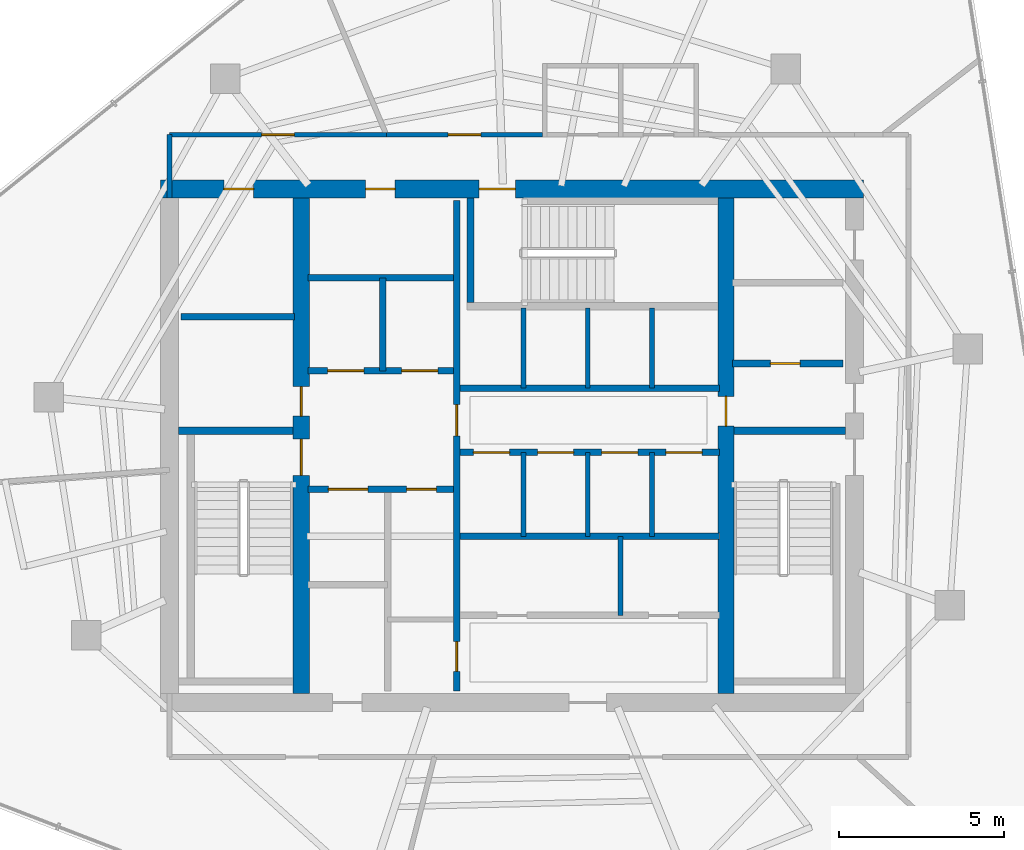
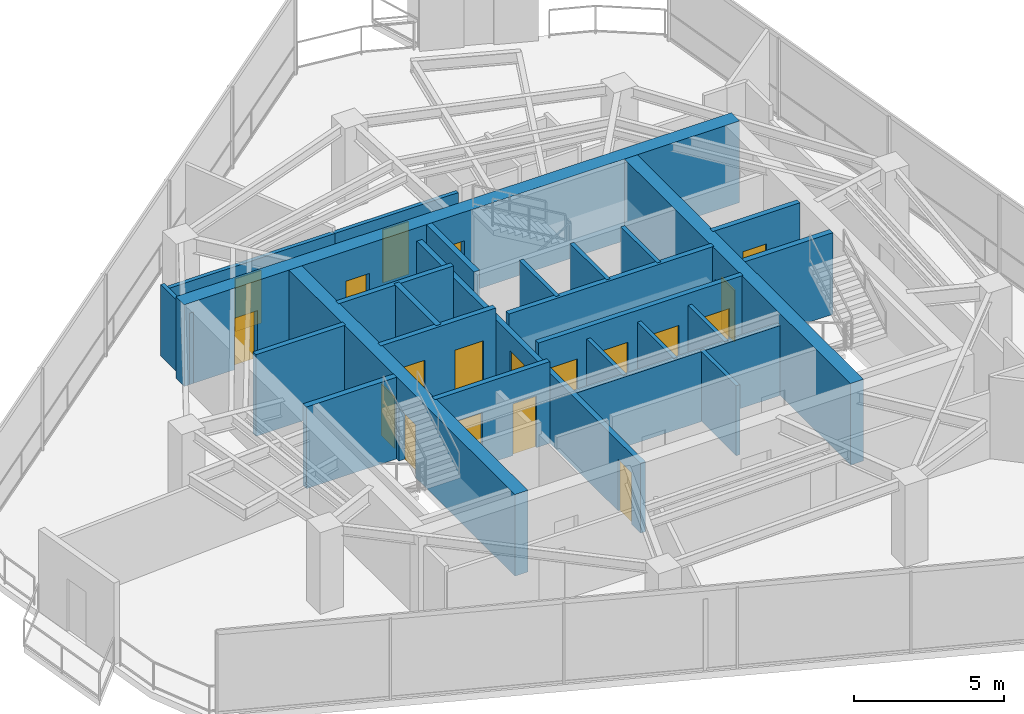
# One storey, part 16 of 19: 26 walls, 19 doors, 19 openings.
"""IFC4 building model written with IfcOpenShell, lengths in metres."""

from ifc_helpers import new_model, si_unit, direction, frame, frame_2d, origin, place, context, subcontext, project, spatial, rectangle, extrude, material, layer, layer_set, type_object, element, fill, save


model = new_model("IFC4")

# Units and contexts
model_context = context("Model", 3, precision=1e-05, world=origin(), true_north=direction((0.0, 1.0)))
body_context = subcontext(model_context, "Body", "Model", "MODEL_VIEW")
ifc_project = project(units=[si_unit("LENGTHUNIT", "METRE"), si_unit("AREAUNIT", "SQUARE_METRE"), si_unit("VOLUMEUNIT", "CUBIC_METRE"), si_unit("PLANEANGLEUNIT", "RADIAN"), si_unit("MASSUNIT", "GRAM", prefix="KILO")], contexts=[model_context])

# Site, building, storey
site_placement = place(None, origin())
site = spatial("IfcSite", under=ifc_project, at=site_placement, CompositionType="ELEMENT")
building_placement = place(site_placement, origin())
building = spatial("IfcBuilding", under=site, at=building_placement, Name="Qarnah Convention Tower", CompositionType="ELEMENT")
storey_placement = place(building_placement, frame((0.0, 0.0, 213.0)))
storey = spatial("IfcBuildingStorey", under=building, at=storey_placement, Name="L57", CompositionType="ELEMENT", Elevation=213.0)

# Wall, openings, doors
ifc_material_1 = material(Name="Concrete C60/75", Category="concrete")
ifc_layer_1 = layer(ifc_material_1, 0.550048828125)
ifc_layer_set_1 = layer_set([ifc_layer_1], Name="Concrete C60/75")
wall_type_1 = type_object("IfcWallType", Name="WL-CORE-550", PredefinedType="SHEAR", material=ifc_layer_set_1)
wall_1_placement = place(storey_placement, frame((26.52490234375, 34.199951171875, 0.0), z_axis=(0.0, 0.0, 1.0), x_axis=(1.0, 0.0, 0.0)))
wall_1 = element("IfcWall", 1, at=wall_1_placement, inside=storey, type_object=wall_type_1, Name="L57 core north shear wall", PredefinedType="SHEAR", context=body_context, shape_type="SweptSolid", body=[
    extrude(rectangle(XDim=21.35009765625, YDim=0.550048828125, at=frame_2d((10.675048828125, 0.0))), origin(), (0.0, 0.0, 1.0), 3.320068359375),
])
opening_1_placement = place(wall_1_placement, frame((9.675048828125, 0.0, 0.0)))
opening_1 = element("IfcOpeningElement", 2, at=opening_1_placement, cuts=wall_1, Name="Opening D-5703", PredefinedType="OPENING", context=body_context, shape_type="SweptSolid", body=[
    extrude(rectangle(XDim=1.10009765625, YDim=2.14990234375, at=frame_2d((0.550048828125, 1.074951171875))), frame((0.0, 0.284912109375, 0.0), z_axis=(0.0, -1.0, 0.0), x_axis=(1.0, 0.0, 0.0)), (0.0, 0.0, 1.0), 0.570068359375),
])
opening_2_placement = place(wall_1_placement, frame((1.925048828125, 0.0, 0.0)))
opening_2 = element("IfcOpeningElement", 3, at=opening_2_placement, cuts=wall_1, Name="Opening D-5709", PredefinedType="OPENING", context=body_context, shape_type="SweptSolid", body=[
    extrude(rectangle(XDim=0.89990234375, YDim=2.10009765625, at=frame_2d((0.449951171875, 1.050048828125))), frame((0.0, 0.284912109375, 0.0), z_axis=(0.0, -1.0, 0.0), x_axis=(1.0, 0.0, 0.0)), (0.0, 0.0, 1.0), 0.570068359375),
])
opening_3_placement = place(wall_1_placement, frame((6.22509765625, 0.0, 0.0)))
opening_3 = element("IfcOpeningElement", 4, at=opening_3_placement, cuts=wall_1, Name="Opening D-5710", PredefinedType="OPENING", context=body_context, shape_type="SweptSolid", body=[
    extrude(rectangle(XDim=0.89990234375, YDim=2.10009765625, at=frame_2d((0.449951171875, 1.050048828125))), frame((0.0, 0.284912109375, 0.0), z_axis=(0.0, -1.0, 0.0), x_axis=(1.0, 0.0, 0.0)), (0.0, 0.0, 1.0), 0.570068359375),
])
ifc_material_2 = material(Name="Structural steel S355JR", Category="steel")
door_type_1 = type_object("IfcDoorType", Name="DT-RISER-900", OperationType="NOTDEFINED", PredefinedType="DOOR", material=ifc_material_2)
door_1_placement = place(opening_2_placement, origin())
door_1 = element("IfcDoor", 5, at=door_1_placement, inside=storey, type_object=door_type_1, Name="Door D-5709", OperationType="SINGLE_SWING_LEFT", OverallHeight=2.10009765625, OverallWidth=0.89990234375, PredefinedType="DOOR", context=body_context, shape_type="SweptSolid", body=[
    extrude(rectangle(XDim=0.89990234375, YDim=2.10009765625, at=frame_2d((0.449951171875, 1.050048828125))), frame((0.0, 0.02490234375, 0.0), z_axis=(0.0, -1.0, 0.0), x_axis=(1.0, 0.0, 0.0)), (0.0, 0.0, 1.0), 0.050048828125),
])
fill(opening_2, door_1)
door_2_placement = place(opening_3_placement, origin())
door_2 = element("IfcDoor", 6, at=door_2_placement, inside=storey, type_object=door_type_1, Name="Door D-5710", OperationType="SINGLE_SWING_RIGHT", OverallHeight=2.10009765625, OverallWidth=0.89990234375, PredefinedType="DOOR", context=body_context, shape_type="SweptSolid", body=[
    extrude(rectangle(XDim=0.89990234375, YDim=2.10009765625, at=frame_2d((0.449951171875, 1.050048828125))), frame((0.0, 0.02490234375, 0.0), z_axis=(0.0, -1.0, 0.0), x_axis=(1.0, 0.0, 0.0)), (0.0, 0.0, 1.0), 0.050048828125),
])
fill(opening_3, door_2)
door_type_2 = type_object("IfcDoorType", Name="DT-STAIR-1100", OperationType="NOTDEFINED", PredefinedType="DOOR", material=ifc_material_2)
door_3_placement = place(opening_1_placement, origin())
door_3 = element("IfcDoor", 7, at=door_3_placement, inside=storey, type_object=door_type_2, Name="Door D-5703", OperationType="SINGLE_SWING_LEFT", OverallHeight=2.14990234375, OverallWidth=1.10009765625, PredefinedType="DOOR", context=body_context, shape_type="SweptSolid", body=[
    extrude(rectangle(XDim=1.10009765625, YDim=2.14990234375, at=frame_2d((0.550048828125, 1.074951171875))), frame((0.0, 0.02490234375, 0.0), z_axis=(0.0, -1.0, 0.0), x_axis=(1.0, 0.0, 0.0)), (0.0, 0.0, 1.0), 0.050048828125),
])
fill(opening_1, door_3)

ifc_layer_2 = layer(ifc_material_1, 0.5)
ifc_layer_set_2 = layer_set([ifc_layer_2], Name="Concrete C60/75")
wall_type_2 = type_object("IfcWallType", Name="WL-CORE-INT-400", PredefinedType="SHEAR", material=ifc_layer_set_2)
wall_2_placement = place(storey_placement, frame((30.800048828125, 18.875, 0.0), z_axis=(0.0, 0.0, 1.0), x_axis=(0.0, 1.0, 0.0)))
wall_2 = element("IfcWall", 8, at=wall_2_placement, inside=storey, type_object=wall_type_2, Name="L57 core west spine shear wall", PredefinedType="SHEAR", context=body_context, shape_type="SweptSolid", body=[
    extrude(rectangle(XDim=15.050048828125, YDim=0.5, at=frame_2d((7.52490234375, 0.0))), origin(), (0.0, 0.0, 1.0), 3.320068359375),
])
opening_4_placement = place(wall_2_placement, frame((6.625, 0.0, 0.0)))
opening_4 = element("IfcOpeningElement", 9, at=opening_4_placement, cuts=wall_2, Name="Opening D-5701", PredefinedType="OPENING", context=body_context, shape_type="SweptSolid", body=[
    extrude(rectangle(XDim=1.10009765625, YDim=2.14990234375, at=frame_2d((0.550048828125, 1.074951171875))), frame((0.0, 0.260009765625, 0.0), z_axis=(0.0, -1.0, 0.0), x_axis=(1.0, 0.0, 0.0)), (0.0, 0.0, 1.0), 0.52001953125),
])
opening_5_placement = place(wall_2_placement, frame((8.425048828125, 0.0, 0.0)))
opening_5 = element("IfcOpeningElement", 10, at=opening_5_placement, cuts=wall_2, Name="Opening D-5708", PredefinedType="OPENING", context=body_context, shape_type="SweptSolid", body=[
    extrude(rectangle(XDim=0.89990234375, YDim=2.10009765625, at=frame_2d((0.449951171875, 1.050048828125))), frame((0.0, 0.260009765625, 0.0), z_axis=(0.0, -1.0, 0.0), x_axis=(1.0, 0.0, 0.0)), (0.0, 0.0, 1.0), 0.52001953125),
])
door_4_placement = place(opening_5_placement, origin())
door_4 = element("IfcDoor", 11, at=door_4_placement, inside=storey, type_object=door_type_1, Name="Door D-5708", OperationType="SINGLE_SWING_RIGHT", OverallHeight=2.10009765625, OverallWidth=0.89990234375, PredefinedType="DOOR", context=body_context, shape_type="SweptSolid", body=[
    extrude(rectangle(XDim=0.89990234375, YDim=2.10009765625, at=frame_2d((0.449951171875, 1.050048828125))), frame((0.0, 0.02490234375, 0.0), z_axis=(0.0, -1.0, 0.0), x_axis=(1.0, 0.0, 0.0)), (0.0, 0.0, 1.0), 0.050048828125),
])
fill(opening_5, door_4)
door_5_placement = place(opening_4_placement, origin())
door_5 = element("IfcDoor", 12, at=door_5_placement, inside=storey, type_object=door_type_2, Name="Door D-5701", OperationType="SINGLE_SWING_LEFT", OverallHeight=2.14990234375, OverallWidth=1.10009765625, PredefinedType="DOOR", context=body_context, shape_type="SweptSolid", body=[
    extrude(rectangle(XDim=1.10009765625, YDim=2.14990234375, at=frame_2d((0.550048828125, 1.074951171875))), frame((0.0, 0.02490234375, 0.0), z_axis=(0.0, -1.0, 0.0), x_axis=(1.0, 0.0, 0.0)), (0.0, 0.0, 1.0), 0.050048828125),
])
fill(opening_4, door_5)

# Wall, opening, door
wall_3_placement = place(storey_placement, frame((43.699951171875, 18.875, 0.0), z_axis=(0.0, 0.0, 1.0), x_axis=(0.0, 1.0, 0.0)))
wall_3 = element("IfcWall", 13, at=wall_3_placement, inside=storey, type_object=wall_type_2, Name="L57 core east spine shear wall", PredefinedType="SHEAR", context=body_context, shape_type="SweptSolid", body=[
    extrude(rectangle(XDim=15.050048828125, YDim=0.5, at=frame_2d((7.52490234375, 0.0))), origin(), (0.0, 0.0, 1.0), 3.320068359375),
])
opening_6_placement = place(wall_3_placement, frame((8.125, 0.0, 0.0)))
opening_6 = element("IfcOpeningElement", 14, at=opening_6_placement, cuts=wall_3, Name="Opening D-5705", PredefinedType="OPENING", context=body_context, shape_type="SweptSolid", body=[
    extrude(rectangle(XDim=0.89990234375, YDim=2.10009765625, at=frame_2d((0.449951171875, 1.050048828125))), frame((0.0, 0.260009765625, 0.0), z_axis=(0.0, -1.0, 0.0), x_axis=(1.0, 0.0, 0.0)), (0.0, 0.0, 1.0), 0.52001953125),
])
door_6_placement = place(opening_6_placement, origin())
door_6 = element("IfcDoor", 15, at=door_6_placement, inside=storey, type_object=door_type_1, Name="Door D-5705", OperationType="SINGLE_SWING_LEFT", OverallHeight=2.10009765625, OverallWidth=0.89990234375, PredefinedType="DOOR", context=body_context, shape_type="SweptSolid", body=[
    extrude(rectangle(XDim=0.89990234375, YDim=2.10009765625, at=frame_2d((0.449951171875, 1.050048828125))), frame((0.0, 0.02490234375, 0.0), z_axis=(0.0, -1.0, 0.0), x_axis=(1.0, 0.0, 0.0)), (0.0, 0.0, 1.0), 0.050048828125),
])
fill(opening_6, door_6)

# Wall
ifc_material_3 = material(Name="Concrete C45/55", Category="concrete")
ifc_layer_3 = layer(ifc_material_3, 0.199951171875)
ifc_layer_set_3 = layer_set([ifc_layer_3], Name="Concrete C45/55")
wall_type_3 = type_object("IfcWallType", Name="WL-CORE-PART-200", PredefinedType="SOLIDWALL", material=ifc_layer_set_3)
wall_4_placement = place(storey_placement, frame((27.14990234375, 30.320068359375, 0.0), z_axis=(0.0, 0.0, 1.0), x_axis=(1.0, 0.0, 0.0)))
element("IfcWall", 16, at=wall_4_placement, inside=storey, type_object=wall_type_3, Name="L57 interior wall IW-L57-ELRN", PredefinedType="SOLIDWALL", context=body_context, shape_type="SweptSolid", body=[
    extrude(rectangle(XDim=3.4501953125, YDim=0.199951171875, at=frame_2d((1.72509765625, 0.0))), origin(), (0.0, 0.0, 1.0), 3.320068359375),
])

# Wall, opening, door
wall_5_placement = place(storey_placement, frame((43.89990234375, 28.89990234375, 0.0), z_axis=(0.0, 0.0, 1.0), x_axis=(1.0, 0.0, 0.0)))
wall_5 = element("IfcWall", 17, at=wall_5_placement, inside=storey, type_object=wall_type_3, Name="L57 interior wall IW-L57-EVSTN", PredefinedType="SOLIDWALL", context=body_context, shape_type="SweptSolid", body=[
    extrude(rectangle(XDim=3.35009765625, YDim=0.199951171875, at=frame_2d((1.675048828125, 0.0))), origin(), (0.0, 0.0, 1.0), 3.320068359375),
])
opening_7_placement = place(wall_5_placement, frame((1.14990234375, 0.0, 0.0)))
opening_7 = element("IfcOpeningElement", 18, at=opening_7_placement, cuts=wall_5, Name="Opening D-5711", PredefinedType="OPENING", context=body_context, shape_type="SweptSolid", body=[
    extrude(rectangle(XDim=0.89990234375, YDim=2.10009765625, at=frame_2d((0.449951171875, 1.050048828125))), frame((0.0, 0.10986328125, 0.0), z_axis=(0.0, -1.0, 0.0), x_axis=(1.0, 0.0, 0.0)), (0.0, 0.0, 1.0), 0.219970703125),
])
door_7_placement = place(opening_7_placement, origin())
door_7 = element("IfcDoor", 19, at=door_7_placement, inside=storey, type_object=door_type_1, Name="Door D-5711", OperationType="SINGLE_SWING_LEFT", OverallHeight=2.10009765625, OverallWidth=0.89990234375, PredefinedType="DOOR", context=body_context, shape_type="SweptSolid", body=[
    extrude(rectangle(XDim=0.89990234375, YDim=2.10009765625, at=frame_2d((0.449951171875, 1.050048828125))), frame((0.0, 0.02490234375, 0.0), z_axis=(0.0, -1.0, 0.0), x_axis=(1.0, 0.0, 0.0)), (0.0, 0.0, 1.0), 0.050048828125),
])
fill(opening_7, door_7)

# Wall, openings, doors
wall_6_placement = place(storey_placement, frame((35.52001953125, 18.949951171875, 0.0), z_axis=(0.0, 0.0, 1.0), x_axis=(0.0, 1.0, 0.0)))
wall_6 = element("IfcWall", 20, at=wall_6_placement, inside=storey, type_object=wall_type_3, Name="L57 interior wall IW-L57-CSP", PredefinedType="SOLIDWALL", context=body_context, shape_type="SweptSolid", body=[
    extrude(rectangle(XDim=14.900146484375, YDim=0.199951171875, at=frame_2d((7.4501953125, 0.0))), origin(), (0.0, 0.0, 1.0), 2.841064453125),
])
opening_8_placement = place(wall_6_placement, frame((7.7548828125, 0.0, 0.0)))
opening_8 = element("IfcOpeningElement", 21, at=opening_8_placement, cuts=wall_6, Name="Opening D-5704", PredefinedType="OPENING", context=body_context, shape_type="SweptSolid", body=[
    extrude(rectangle(XDim=0.949951171875, YDim=2.14990234375, at=frame_2d((0.47509765625, 1.074951171875))), frame((0.0, 0.10986328125, 0.0), z_axis=(0.0, -1.0, 0.0), x_axis=(1.0, 0.0, 0.0)), (0.0, 0.0, 1.0), 0.219970703125),
])
opening_9_placement = place(wall_6_placement, frame((0.60009765625, 0.0, 0.0)))
opening_9 = element("IfcOpeningElement", 22, at=opening_9_placement, cuts=wall_6, Name="Opening D-5714", PredefinedType="OPENING", context=body_context, shape_type="SweptSolid", body=[
    extrude(rectangle(XDim=0.89990234375, YDim=2.10009765625, at=frame_2d((0.449951171875, 1.050048828125))), frame((0.0, 0.10986328125, 0.0), z_axis=(0.0, -1.0, 0.0), x_axis=(1.0, 0.0, 0.0)), (0.0, 0.0, 1.0), 0.219970703125),
])
ifc_material_4 = material(Name="Oak timber veneer", Category="wood")
door_type_3 = type_object("IfcDoorType", Name="DT-HOTEL-950", OperationType="NOTDEFINED", PredefinedType="DOOR", material=ifc_material_4)
door_8_placement = place(opening_8_placement, origin())
door_8 = element("IfcDoor", 23, at=door_8_placement, inside=storey, type_object=door_type_3, Name="Door D-5704", OperationType="SINGLE_SWING_RIGHT", OverallHeight=2.14990234375, OverallWidth=0.949951171875, PredefinedType="DOOR", context=body_context, shape_type="SweptSolid", body=[
    extrude(rectangle(XDim=0.949951171875, YDim=2.14990234375, at=frame_2d((0.47509765625, 1.074951171875))), frame((0.0, 0.02490234375, 0.0), z_axis=(0.0, -1.0, 0.0), x_axis=(1.0, 0.0, 0.0)), (0.0, 0.0, 1.0), 0.050048828125),
])
fill(opening_8, door_8)
door_9_placement = place(opening_9_placement, origin())
door_9 = element("IfcDoor", 24, at=door_9_placement, inside=storey, type_object=door_type_1, Name="Door D-5714", OperationType="SINGLE_SWING_RIGHT", OverallHeight=2.10009765625, OverallWidth=0.89990234375, PredefinedType="DOOR", context=body_context, shape_type="SweptSolid", body=[
    extrude(rectangle(XDim=0.89990234375, YDim=2.10009765625, at=frame_2d((0.449951171875, 1.050048828125))), frame((0.0, 0.02490234375, 0.0), z_axis=(0.0, -1.0, 0.0), x_axis=(1.0, 0.0, 0.0)), (0.0, 0.0, 1.0), 0.050048828125),
])
fill(opening_9, door_9)

wall_7_placement = place(storey_placement, frame((31.0, 28.679931640625, 0.0), z_axis=(0.0, 0.0, 1.0), x_axis=(1.0, 0.0, 0.0)))
wall_7 = element("IfcWall", 25, at=wall_7_placement, inside=storey, type_object=wall_type_3, Name="L57 interior wall IW-L57-FFLS", PredefinedType="SOLIDWALL", context=body_context, shape_type="SweptSolid", body=[
    extrude(rectangle(XDim=4.419921875, YDim=0.199951171875, at=frame_2d((2.2099609375, 0.0))), origin(), (0.0, 0.0, 1.0), 3.320068359375),
])
opening_10_placement = place(wall_7_placement, frame((0.60009765625, 0.0, 0.0)))
opening_10 = element("IfcOpeningElement", 26, at=opening_10_placement, cuts=wall_7, Name="Opening LD-5701", PredefinedType="OPENING", context=body_context, shape_type="SweptSolid", body=[
    extrude(rectangle(XDim=1.10009765625, YDim=2.14990234375, at=frame_2d((0.550048828125, 1.074951171875))), frame((0.0, 0.10986328125, 0.0), z_axis=(0.0, -1.0, 0.0), x_axis=(1.0, 0.0, 0.0)), (0.0, 0.0, 1.0), 0.219970703125),
])
opening_11_placement = place(wall_7_placement, frame((2.85009765625, 0.0, 0.0)))
opening_11 = element("IfcOpeningElement", 27, at=opening_11_placement, cuts=wall_7, Name="Opening LD-5702", PredefinedType="OPENING", context=body_context, shape_type="SweptSolid", body=[
    extrude(rectangle(XDim=1.10009765625, YDim=2.14990234375, at=frame_2d((0.550048828125, 1.074951171875))), frame((0.0, 0.10986328125, 0.0), z_axis=(0.0, -1.0, 0.0), x_axis=(1.0, 0.0, 0.0)), (0.0, 0.0, 1.0), 0.219970703125),
])
door_type_4 = type_object("IfcDoorType", Name="DT-LIFT-1100", OperationType="SLIDING_TO_LEFT", PredefinedType="DOOR", material=ifc_material_2)
door_10_placement = place(opening_10_placement, origin())
door_10 = element("IfcDoor", 28, at=door_10_placement, inside=storey, type_object=door_type_4, Name="Door LD-5701", OperationType="SLIDING_TO_LEFT", OverallHeight=2.14990234375, OverallWidth=1.10009765625, PredefinedType="DOOR", context=body_context, shape_type="SweptSolid", body=[
    extrude(rectangle(XDim=1.10009765625, YDim=2.14990234375, at=frame_2d((0.550048828125, 1.074951171875))), frame((0.0, 0.02490234375, 0.0), z_axis=(0.0, -1.0, 0.0), x_axis=(1.0, 0.0, 0.0)), (0.0, 0.0, 1.0), 0.050048828125),
])
fill(opening_10, door_10)
door_11_placement = place(opening_11_placement, origin())
door_11 = element("IfcDoor", 29, at=door_11_placement, inside=storey, type_object=door_type_4, Name="Door LD-5702", OperationType="SLIDING_TO_LEFT", OverallHeight=2.14990234375, OverallWidth=1.10009765625, PredefinedType="DOOR", context=body_context, shape_type="SweptSolid", body=[
    extrude(rectangle(XDim=1.10009765625, YDim=2.14990234375, at=frame_2d((0.550048828125, 1.074951171875))), frame((0.0, 0.02490234375, 0.0), z_axis=(0.0, -1.0, 0.0), x_axis=(1.0, 0.0, 0.0)), (0.0, 0.0, 1.0), 0.050048828125),
])
fill(opening_11, door_11)

# Walls
wall_8_placement = place(storey_placement, frame((31.0, 31.5, 0.0), z_axis=(0.0, 0.0, 1.0), x_axis=(1.0, 0.0, 0.0)))
element("IfcWall", 30, at=wall_8_placement, inside=storey, type_object=wall_type_3, Name="L57 interior wall IW-L57-FFLN", PredefinedType="SOLIDWALL", context=body_context, shape_type="SweptSolid", body=[
    extrude(rectangle(XDim=4.419921875, YDim=0.199951171875, at=frame_2d((2.2099609375, 0.0))), origin(), (0.0, 0.0, 1.0), 3.320068359375),
])
wall_9_placement = place(storey_placement, frame((33.280029296875, 28.679931640625, 0.0), z_axis=(0.0, 0.0, 1.0), x_axis=(0.0, 1.0, 0.0)))
element("IfcWall", 31, at=wall_9_placement, inside=storey, type_object=wall_type_3, Name="L57 interior wall IW-L57-FFLM", PredefinedType="SOLIDWALL", context=body_context, shape_type="SweptSolid", body=[
    extrude(rectangle(XDim=2.820068359375, YDim=0.199951171875, at=frame_2d((1.41015625, 0.0))), origin(), (0.0, 0.0, 1.0), 3.320068359375),
])

# Wall, openings, doors
wall_10_placement = place(storey_placement, frame((31.0, 25.080078125, 0.0), z_axis=(0.0, 0.0, 1.0), x_axis=(1.0, 0.0, 0.0)))
wall_10 = element("IfcWall", 32, at=wall_10_placement, inside=storey, type_object=wall_type_3, Name="L57 interior wall IW-L57-FFLBS", PredefinedType="SOLIDWALL", context=body_context, shape_type="SweptSolid", body=[
    extrude(rectangle(XDim=4.419921875, YDim=0.199951171875, at=frame_2d((2.2099609375, 0.0))), origin(), (0.0, 0.0, 1.0), 3.320068359375),
])
opening_12_placement = place(wall_10_placement, frame((3.0, 0.0, 0.0)))
opening_12 = element("IfcOpeningElement", 33, at=opening_12_placement, cuts=wall_10, Name="Opening D-5715", PredefinedType="OPENING", context=body_context, shape_type="SweptSolid", body=[
    extrude(rectangle(XDim=0.89990234375, YDim=2.10009765625, at=frame_2d((0.449951171875, 1.050048828125))), frame((0.0, 0.10986328125, 0.0), z_axis=(0.0, -1.0, 0.0), x_axis=(1.0, 0.0, 0.0)), (0.0, 0.0, 1.0), 0.219970703125),
])
opening_13_placement = place(wall_10_placement, frame((0.6201171875, 0.0, 0.0)))
opening_13 = element("IfcOpeningElement", 34, at=opening_13_placement, cuts=wall_10, Name="Opening LD-5703", PredefinedType="OPENING", context=body_context, shape_type="SweptSolid", body=[
    extrude(rectangle(XDim=1.199951171875, YDim=2.14990234375, at=frame_2d((0.60009765625, 1.074951171875))), frame((0.0, 0.10986328125, 0.0), z_axis=(0.0, -1.0, 0.0), x_axis=(1.0, 0.0, 0.0)), (0.0, 0.0, 1.0), 0.219970703125),
])
door_type_5 = type_object("IfcDoorType", Name="DT-LIFT-1200", OperationType="SLIDING_TO_LEFT", PredefinedType="DOOR", material=ifc_material_2)
door_12_placement = place(opening_13_placement, origin())
door_12 = element("IfcDoor", 35, at=door_12_placement, inside=storey, type_object=door_type_5, Name="Door LD-5703", OperationType="SLIDING_TO_LEFT", OverallHeight=2.14990234375, OverallWidth=1.199951171875, PredefinedType="DOOR", context=body_context, shape_type="SweptSolid", body=[
    extrude(rectangle(XDim=1.199951171875, YDim=2.14990234375, at=frame_2d((0.60009765625, 1.074951171875))), frame((0.0, 0.02490234375, 0.0), z_axis=(0.0, -1.0, 0.0), x_axis=(1.0, 0.0, 0.0)), (0.0, 0.0, 1.0), 0.050048828125),
])
fill(opening_13, door_12)
door_13_placement = place(opening_12_placement, origin())
door_13 = element("IfcDoor", 36, at=door_13_placement, inside=storey, type_object=door_type_1, Name="Door D-5715", OperationType="SINGLE_SWING_LEFT", OverallHeight=2.10009765625, OverallWidth=0.89990234375, PredefinedType="DOOR", context=body_context, shape_type="SweptSolid", body=[
    extrude(rectangle(XDim=0.89990234375, YDim=2.10009765625, at=frame_2d((0.449951171875, 1.050048828125))), frame((0.0, 0.02490234375, 0.0), z_axis=(0.0, -1.0, 0.0), x_axis=(1.0, 0.0, 0.0)), (0.0, 0.0, 1.0), 0.050048828125),
])
fill(opening_12, door_13)

# Wall
wall_11_placement = place(storey_placement, frame((35.6201171875, 28.14990234375, 0.0), z_axis=(0.0, 0.0, 1.0), x_axis=(1.0, 0.0, 0.0)))
element("IfcWall", 37, at=wall_11_placement, inside=storey, type_object=wall_type_3, Name="L57 interior wall IW-L57-PHS", PredefinedType="SOLIDWALL", context=body_context, shape_type="SweptSolid", body=[
    extrude(rectangle(XDim=7.8798828125, YDim=0.199951171875, at=frame_2d((3.93994140625, 0.0))), origin(), (0.0, 0.0, 1.0), 3.320068359375),
])

# Wall, openings, doors
wall_12_placement = place(storey_placement, frame((35.6201171875, 26.199951171875, 0.0), z_axis=(0.0, 0.0, 1.0), x_axis=(1.0, 0.0, 0.0)))
wall_12 = element("IfcWall", 38, at=wall_12_placement, inside=storey, type_object=wall_type_3, Name="L57 interior wall IW-L57-PMN", PredefinedType="SOLIDWALL", context=body_context, shape_type="SweptSolid", body=[
    extrude(rectangle(XDim=7.8798828125, YDim=0.199951171875, at=frame_2d((3.93994140625, 0.0))), origin(), (0.0, 0.0, 1.0), 3.320068359375),
])
opening_14_placement = place(wall_12_placement, frame((0.405029296875, 0.0, 0.0)))
opening_14 = element("IfcOpeningElement", 39, at=opening_14_placement, cuts=wall_12, Name="Opening LD-5704", PredefinedType="OPENING", context=body_context, shape_type="SweptSolid", body=[
    extrude(rectangle(XDim=1.10009765625, YDim=2.14990234375, at=frame_2d((0.550048828125, 1.074951171875))), frame((0.0, 0.10986328125, 0.0), z_axis=(0.0, -1.0, 0.0), x_axis=(1.0, 0.0, 0.0)), (0.0, 0.0, 1.0), 0.219970703125),
])
opening_15_placement = place(wall_12_placement, frame((2.35498046875, 0.0, 0.0)))
opening_15 = element("IfcOpeningElement", 40, at=opening_15_placement, cuts=wall_12, Name="Opening LD-5705", PredefinedType="OPENING", context=body_context, shape_type="SweptSolid", body=[
    extrude(rectangle(XDim=1.10009765625, YDim=2.14990234375, at=frame_2d((0.550048828125, 1.074951171875))), frame((0.0, 0.10986328125, 0.0), z_axis=(0.0, -1.0, 0.0), x_axis=(1.0, 0.0, 0.0)), (0.0, 0.0, 1.0), 0.219970703125),
])
opening_16_placement = place(wall_12_placement, frame((4.304931640625, 0.0, 0.0)))
opening_16 = element("IfcOpeningElement", 41, at=opening_16_placement, cuts=wall_12, Name="Opening LD-5706", PredefinedType="OPENING", context=body_context, shape_type="SweptSolid", body=[
    extrude(rectangle(XDim=1.10009765625, YDim=2.14990234375, at=frame_2d((0.550048828125, 1.074951171875))), frame((0.0, 0.10986328125, 0.0), z_axis=(0.0, -1.0, 0.0), x_axis=(1.0, 0.0, 0.0)), (0.0, 0.0, 1.0), 0.219970703125),
])
opening_17_placement = place(wall_12_placement, frame((6.2548828125, 0.0, 0.0)))
opening_17 = element("IfcOpeningElement", 42, at=opening_17_placement, cuts=wall_12, Name="Opening LD-5707", PredefinedType="OPENING", context=body_context, shape_type="SweptSolid", body=[
    extrude(rectangle(XDim=1.10009765625, YDim=2.14990234375, at=frame_2d((0.550048828125, 1.074951171875))), frame((0.0, 0.10986328125, 0.0), z_axis=(0.0, -1.0, 0.0), x_axis=(1.0, 0.0, 0.0)), (0.0, 0.0, 1.0), 0.219970703125),
])
door_14_placement = place(opening_14_placement, origin())
door_14 = element("IfcDoor", 43, at=door_14_placement, inside=storey, type_object=door_type_4, Name="Door LD-5704", OperationType="SLIDING_TO_LEFT", OverallHeight=2.14990234375, OverallWidth=1.10009765625, PredefinedType="DOOR", context=body_context, shape_type="SweptSolid", body=[
    extrude(rectangle(XDim=1.10009765625, YDim=2.14990234375, at=frame_2d((0.550048828125, 1.074951171875))), frame((0.0, 0.02490234375, 0.0), z_axis=(0.0, -1.0, 0.0), x_axis=(1.0, 0.0, 0.0)), (0.0, 0.0, 1.0), 0.050048828125),
])
fill(opening_14, door_14)
door_15_placement = place(opening_15_placement, origin())
door_15 = element("IfcDoor", 44, at=door_15_placement, inside=storey, type_object=door_type_4, Name="Door LD-5705", OperationType="SLIDING_TO_LEFT", OverallHeight=2.14990234375, OverallWidth=1.10009765625, PredefinedType="DOOR", context=body_context, shape_type="SweptSolid", body=[
    extrude(rectangle(XDim=1.10009765625, YDim=2.14990234375, at=frame_2d((0.550048828125, 1.074951171875))), frame((0.0, 0.02490234375, 0.0), z_axis=(0.0, -1.0, 0.0), x_axis=(1.0, 0.0, 0.0)), (0.0, 0.0, 1.0), 0.050048828125),
])
fill(opening_15, door_15)
door_16_placement = place(opening_16_placement, origin())
door_16 = element("IfcDoor", 45, at=door_16_placement, inside=storey, type_object=door_type_4, Name="Door LD-5706", OperationType="SLIDING_TO_LEFT", OverallHeight=2.14990234375, OverallWidth=1.10009765625, PredefinedType="DOOR", context=body_context, shape_type="SweptSolid", body=[
    extrude(rectangle(XDim=1.10009765625, YDim=2.14990234375, at=frame_2d((0.550048828125, 1.074951171875))), frame((0.0, 0.02490234375, 0.0), z_axis=(0.0, -1.0, 0.0), x_axis=(1.0, 0.0, 0.0)), (0.0, 0.0, 1.0), 0.050048828125),
])
fill(opening_16, door_16)
door_17_placement = place(opening_17_placement, origin())
door_17 = element("IfcDoor", 46, at=door_17_placement, inside=storey, type_object=door_type_4, Name="Door LD-5707", OperationType="SLIDING_TO_LEFT", OverallHeight=2.14990234375, OverallWidth=1.10009765625, PredefinedType="DOOR", context=body_context, shape_type="SweptSolid", body=[
    extrude(rectangle(XDim=1.10009765625, YDim=2.14990234375, at=frame_2d((0.550048828125, 1.074951171875))), frame((0.0, 0.02490234375, 0.0), z_axis=(0.0, -1.0, 0.0), x_axis=(1.0, 0.0, 0.0)), (0.0, 0.0, 1.0), 0.050048828125),
])
fill(opening_17, door_17)

# Walls
wall_13_placement = place(storey_placement, frame((35.6201171875, 23.64990234375, 0.0), z_axis=(0.0, 0.0, 1.0), x_axis=(1.0, 0.0, 0.0)))
element("IfcWall", 47, at=wall_13_placement, inside=storey, type_object=wall_type_3, Name="L57 interior wall IW-L57-PMPL", PredefinedType="SOLIDWALL", context=body_context, shape_type="SweptSolid", body=[
    extrude(rectangle(XDim=7.8798828125, YDim=0.199951171875, at=frame_2d((3.93994140625, 0.0))), origin(), (0.0, 0.0, 1.0), 2.841064453125),
])
ifc_layer_4 = layer(ifc_material_1, 0.219970703125)
ifc_layer_set_4 = layer_set([ifc_layer_4], Name="Concrete C60/75")
wall_type_4 = type_object("IfcWallType", Name="WL-CORE-STAIR-220", PredefinedType="SHEAR", material=ifc_layer_set_4)
wall_14_placement = place(storey_placement, frame((27.074951171875, 26.860107421875, 0.0), z_axis=(0.0, 0.0, 1.0), x_axis=(1.0, 0.0, 0.0)))
element("IfcWall", 48, at=wall_14_placement, inside=storey, type_object=wall_type_4, Name="L57 stair shaft shear wall SW-L57-ST1N", PredefinedType="SHEAR", context=body_context, shape_type="SweptSolid", body=[
    extrude(rectangle(XDim=3.47509765625, YDim=0.219970703125, at=frame_2d((1.737548828125, 0.0))), origin(), (0.0, 0.0, 1.0), 3.320068359375),
])
wall_15_placement = place(storey_placement, frame((43.949951171875, 26.860107421875, 0.0), z_axis=(0.0, 0.0, 1.0), x_axis=(1.0, 0.0, 0.0)))
element("IfcWall", 49, at=wall_15_placement, inside=storey, type_object=wall_type_4, Name="L57 stair shaft shear wall SW-L57-ST2N", PredefinedType="SHEAR", context=body_context, shape_type="SweptSolid", body=[
    extrude(rectangle(XDim=3.375, YDim=0.219970703125, at=frame_2d((1.6875, 0.0))), origin(), (0.0, 0.0, 1.0), 3.320068359375),
])
wall_16_placement = place(storey_placement, frame((35.93994140625, 30.75, 0.0), z_axis=(0.0, 0.0, 1.0), x_axis=(0.0, 1.0, 0.0)))
element("IfcWall", 50, at=wall_16_placement, inside=storey, type_object=wall_type_4, Name="L57 stair shaft shear wall SW-L57-ST3W", PredefinedType="SHEAR", context=body_context, shape_type="SweptSolid", body=[
    extrude(rectangle(XDim=3.175048828125, YDim=0.219970703125, at=frame_2d((1.58740234375, 0.0))), origin(), (0.0, 0.0, 1.0), 3.320068359375),
])
ifc_material_5 = material(Name="Gypsum partition board")
ifc_layer_5 = layer(ifc_material_5, 0.14990234375)
ifc_layer_set_5 = layer_set([ifc_layer_5], Name="Gypsum partition board")
wall_type_5 = type_object("IfcWallType", Name="WL-SUITE-150", PredefinedType="PARTITIONING", material=ifc_layer_set_5)
for number, where, z_axis, x_axis, name in (
    (51, (37.550048828125, 28.14990234375, 0.0), (0.0, 0.0, 1.0), (0.0, 1.0, 0.0), "L57 interior wall IW-L57-PHD1"),
    (52, (39.5, 28.14990234375, 0.0), (0.0, 0.0, 1.0), (0.0, 1.0, 0.0), "L57 interior wall IW-L57-PHD2"),
    (53, (41.449951171875, 28.14990234375, 0.0), (0.0, 0.0, 1.0), (0.0, 1.0, 0.0), "L57 interior wall IW-L57-PHD3"),
):
    element("IfcWall", number, at=place(storey_placement, frame(where, z_axis=z_axis, x_axis=x_axis)), inside=storey, type_object=wall_type_5, Name=name, PredefinedType="PARTITIONING", context=body_context, shape_type="SweptSolid", body=[
        extrude(rectangle(XDim=2.43017578125, YDim=0.14990234375, at=frame_2d((1.215087890625, 0.0))), origin(), (0.0, 0.0, 1.0), 3.320068359375),
    ])
for number, where, z_axis, x_axis, name in (
    (54, (37.550048828125, 23.64990234375, 0.0), (0.0, 0.0, 1.0), (0.0, 1.0, 0.0), "L57 interior wall IW-L57-PMD1"),
    (55, (39.5, 23.64990234375, 0.0), (0.0, 0.0, 1.0), (0.0, 1.0, 0.0), "L57 interior wall IW-L57-PMD2"),
    (56, (41.449951171875, 23.64990234375, 0.0), (0.0, 0.0, 1.0), (0.0, 1.0, 0.0), "L57 interior wall IW-L57-PMD3"),
):
    element("IfcWall", number, at=place(storey_placement, frame(where, z_axis=z_axis, x_axis=x_axis)), inside=storey, type_object=wall_type_5, Name=name, PredefinedType="PARTITIONING", context=body_context, shape_type="SweptSolid", body=[
        extrude(rectangle(XDim=2.550048828125, YDim=0.14990234375, at=frame_2d((1.27490234375, 0.0))), origin(), (0.0, 0.0, 1.0), 2.841064453125),
    ])
wall_17_placement = place(storey_placement, frame((40.5, 21.25, 0.0), z_axis=(0.0, 0.0, 1.0), x_axis=(0.0, 1.0, 0.0)))
element("IfcWall", 57, at=wall_17_placement, inside=storey, type_object=wall_type_5, Name="L57 interior wall IW-L57-PLFD", PredefinedType="PARTITIONING", context=body_context, shape_type="SweptSolid", body=[
    extrude(rectangle(XDim=2.39990234375, YDim=0.14990234375, at=frame_2d((1.199951171875, 0.0))), origin(), (0.0, 0.0, 1.0), 2.841064453125),
])

# Wall, opening, door
wall_18_placement = place(storey_placement, frame((33.382080078125, 35.85009765625, 0.0), z_axis=(0.0, 0.0, 1.0), x_axis=(1.0, 0.0, 0.0)))
wall_18 = element("IfcWall", 58, at=wall_18_placement, inside=storey, type_object=wall_type_5, Name="L57 interior wall IW-L57-R-09", PredefinedType="PARTITIONING", context=body_context, shape_type="SweptSolid", body=[
    extrude(rectangle(XDim=4.747802734375, YDim=0.14990234375, at=frame_2d((2.3740234375, 0.0))), origin(), (0.0, 0.0, 1.0), 2.697021484375),
])
opening_18_placement = place(wall_18_placement, frame((1.8740234375, 0.0, 0.0)))
opening_18 = element("IfcOpeningElement", 59, at=opening_18_placement, cuts=wall_18, Name="Opening D-5720", PredefinedType="OPENING", context=body_context, shape_type="SweptSolid", body=[
    extrude(rectangle(XDim=1.0, YDim=2.14990234375, at=frame_2d((0.5, 1.074951171875))), frame((0.0, 0.0849609375, 0.0), z_axis=(0.0, -1.0, 0.0), x_axis=(1.0, 0.0, 0.0)), (0.0, 0.0, 1.0), 0.169921875),
])
door_type_6 = type_object("IfcDoorType", Name="DT-OFFICE-1000", OperationType="NOTDEFINED", PredefinedType="DOOR", material=ifc_material_4)
door_18_placement = place(opening_18_placement, origin())
door_18 = element("IfcDoor", 60, at=door_18_placement, inside=storey, type_object=door_type_6, Name="Door D-5720", OperationType="SINGLE_SWING_RIGHT", OverallHeight=2.14990234375, OverallWidth=1.0, PredefinedType="DOOR", context=body_context, shape_type="SweptSolid", body=[
    extrude(rectangle(XDim=1.0, YDim=2.14990234375, at=frame_2d((0.5, 1.074951171875))), frame((0.0, 0.02490234375, 0.0), z_axis=(0.0, -1.0, 0.0), x_axis=(1.0, 0.0, 0.0)), (0.0, 0.0, 1.0), 0.050048828125),
])
fill(opening_18, door_18)

# Wall
wall_19_placement = place(storey_placement, frame((26.800048828125, 33.925048828125, 0.0), z_axis=(0.0, 0.0, 1.0), x_axis=(0.0, 1.0, 0.0)))
element("IfcWall", 61, at=wall_19_placement, inside=storey, type_object=wall_type_5, Name="L57 interior wall IW-L57-R-14", PredefinedType="PARTITIONING", context=body_context, shape_type="SweptSolid", body=[
    extrude(rectangle(XDim=1.925048828125, YDim=0.14990234375, at=frame_2d((0.96240234375, 0.0))), origin(), (0.0, 0.0, 1.0), 2.905029296875),
])

# Wall, opening, door
wall_20_placement = place(storey_placement, frame((26.800048828125, 35.85009765625, 0.0), z_axis=(0.0, 0.0, 1.0), x_axis=(1.0, 0.0, 0.0)))
wall_20 = element("IfcWall", 62, at=wall_20_placement, inside=storey, type_object=wall_type_5, Name="L57 interior wall IW-L57-R-15", PredefinedType="PARTITIONING", context=body_context, shape_type="SweptSolid", body=[
    extrude(rectangle(XDim=6.58203125, YDim=0.14990234375, at=frame_2d((3.291015625, 0.0))), origin(), (0.0, 0.0, 1.0), 2.697021484375),
])
opening_19_placement = place(wall_20_placement, frame((2.791015625, 0.0, 0.0)))
opening_19 = element("IfcOpeningElement", 63, at=opening_19_placement, cuts=wall_20, Name="Opening D-5721", PredefinedType="OPENING", context=body_context, shape_type="SweptSolid", body=[
    extrude(rectangle(XDim=1.0, YDim=2.14990234375, at=frame_2d((0.5, 1.074951171875))), frame((0.0, 0.0849609375, 0.0), z_axis=(0.0, -1.0, 0.0), x_axis=(1.0, 0.0, 0.0)), (0.0, 0.0, 1.0), 0.169921875),
])
door_19_placement = place(opening_19_placement, origin())
door_19 = element("IfcDoor", 64, at=door_19_placement, inside=storey, type_object=door_type_6, Name="Door D-5721", OperationType="SINGLE_SWING_LEFT", OverallHeight=2.14990234375, OverallWidth=1.0, PredefinedType="DOOR", context=body_context, shape_type="SweptSolid", body=[
    extrude(rectangle(XDim=1.0, YDim=2.14990234375, at=frame_2d((0.5, 1.074951171875))), frame((0.0, 0.02490234375, 0.0), z_axis=(0.0, -1.0, 0.0), x_axis=(1.0, 0.0, 0.0)), (0.0, 0.0, 1.0), 0.050048828125),
])
fill(opening_19, door_19)

save(model, "model.ifc")
